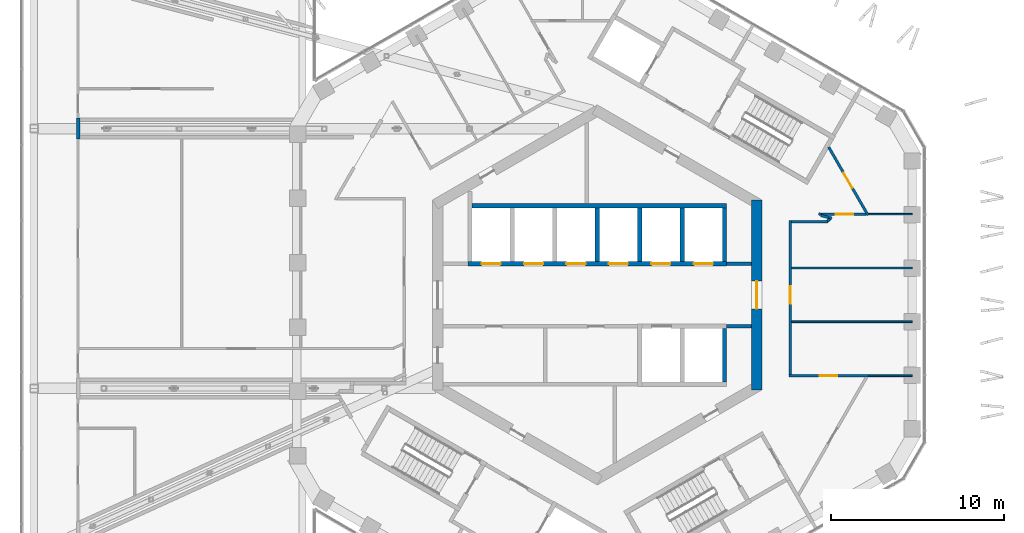
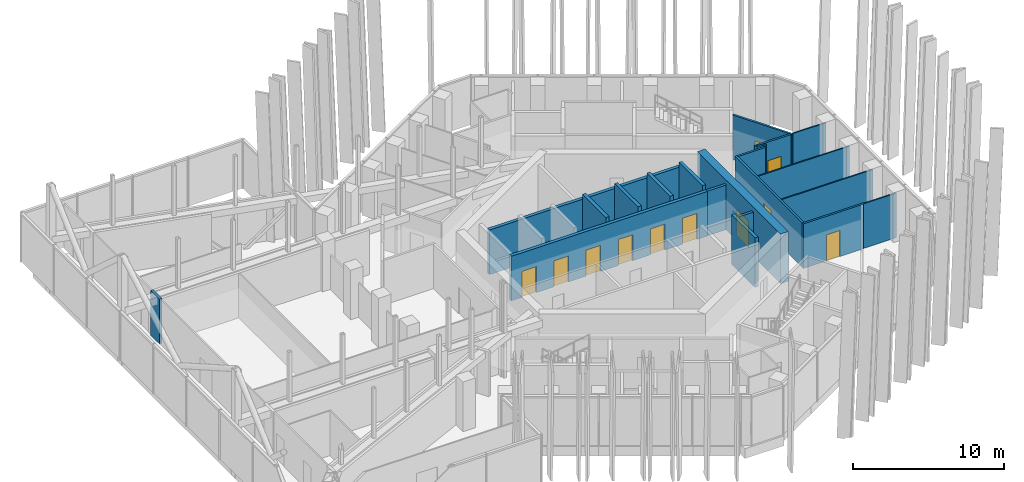
# One storey, part 20 of 28: 23 walls, 11 doors, 11 openings.
"""IFC4 building model written with IfcOpenShell, lengths in metres."""

from ifc_helpers import new_model, si_unit, direction, frame, frame_2d, origin, place, context, subcontext, project, spatial, rectangle, extrude, material, layer, layer_set, type_object, element, fill, save


model = new_model("IFC4")

# Units and contexts
model_context = context("Model", 3, precision=1e-05, world=origin(), true_north=direction((0.0, 1.0)))
body_context = subcontext(model_context, "Body", "Model", "MODEL_VIEW")
ifc_project = project(units=[si_unit("LENGTHUNIT", "METRE"), si_unit("AREAUNIT", "SQUARE_METRE"), si_unit("VOLUMEUNIT", "CUBIC_METRE"), si_unit("PLANEANGLEUNIT", "RADIAN"), si_unit("MASSUNIT", "GRAM", prefix="KILO")], contexts=[model_context])

# Site, building, storey
site_placement = place(None, origin())
site = spatial("IfcSite", under=ifc_project, at=site_placement, CompositionType="ELEMENT")
building_placement = place(site_placement, origin())
building = spatial("IfcBuilding", under=site, at=building_placement, Name="Ayvan Gate Tower", CompositionType="ELEMENT")
storey_placement = place(building_placement, frame((0.0, 0.0, 202.10009765625)))
storey = spatial("IfcBuildingStorey", under=building, at=storey_placement, Name="L54", CompositionType="ELEMENT", Elevation=202.10009765625)

# Wall, opening, door
ifc_material_1 = material(Name="Concrete C60/75", Category="concrete")
ifc_layer_1 = layer(ifc_material_1, 0.60009765625)
ifc_layer_set_1 = layer_set([ifc_layer_1], Name="Concrete C60/75")
wall_type_1 = type_object("IfcWallType", Name="Core wall 600 C60/75", PredefinedType="SHEAR", material=ifc_layer_set_1)
wall_1_placement = place(storey_placement, frame((9.199951171875, -5.48486328125, 0.0), z_axis=(0.0, 0.0, 1.0), x_axis=(0.0, 1.0, 0.0)))
wall_1 = element("IfcWall", 1, at=wall_1_placement, inside=storey, type_object=wall_type_1, Name="CORE-L54-0", PredefinedType="SHEAR", context=body_context, shape_type="SweptSolid", body=[
    extrude(rectangle(XDim=10.9697265625, YDim=0.60009765625, at=frame_2d((5.48486328125, 0.0))), origin(), (0.0, 0.0, 1.0), 4.0),
])
opening_1_placement = place(wall_1_placement, frame((4.684814453125, 0.0, 0.0)))
opening_1 = element("IfcOpeningElement", 2, at=opening_1_placement, cuts=wall_1, Name="Opening L54-D50", PredefinedType="OPENING", context=body_context, shape_type="SweptSolid", body=[
    extrude(rectangle(XDim=1.60009765625, YDim=2.10009765625, at=frame_2d((0.800048828125, 1.050048828125))), frame((0.0, 0.31005859375, 0.0), z_axis=(0.0, -1.0, 0.0), x_axis=(1.0, 0.0, 0.0)), (0.0, 0.0, 1.0), 0.6201171875),
])
ifc_material_2 = material(Name="Timber door leaf", Category="wood")
door_type_1 = type_object("IfcDoorType", Name="DT-1600", OperationType="NOTDEFINED", PredefinedType="DOOR", material=ifc_material_2)
door_1_placement = place(opening_1_placement, origin())
door_1 = element("IfcDoor", 3, at=door_1_placement, inside=storey, type_object=door_type_1, Name="CD-L54-50", OperationType="SINGLE_SWING_RIGHT", OverallHeight=2.10009765625, OverallWidth=1.60009765625, PredefinedType="DOOR", context=body_context, shape_type="SweptSolid", body=[
    extrude(rectangle(XDim=1.60009765625, YDim=2.10009765625, at=frame_2d((0.800048828125, 1.050048828125))), frame((0.0, 0.02490234375, 0.0), z_axis=(0.0, -1.0, 0.0), x_axis=(1.0, 0.0, 0.0)), (0.0, 0.0, 1.0), 0.050048828125),
])
fill(opening_1, door_1)

ifc_material_3 = material(Name="Plasterboard on steel stud", Category="steel")
ifc_layer_2 = layer(ifc_material_3, 0.14990234375)
ifc_layer_set_2 = layer_set([ifc_layer_2], Name="Plasterboard on steel stud")
wall_type_2 = type_object("IfcWallType", Name="WT-CORR-150", PredefinedType="PARTITIONING", material=ifc_layer_set_2)
wall_2_placement = place(storey_placement, frame((11.074951171875, -4.663330078125, 0.0), z_axis=(0.0, 0.0, 1.0), x_axis=(1.0, 0.0, 0.0)))
wall_2 = element("IfcWall", 4, at=wall_2_placement, inside=storey, type_object=wall_type_2, Name="IW-L54-117", PredefinedType="PARTITIONING", context=body_context, shape_type="SweptSolid", body=[
    extrude(rectangle(XDim=4.595947265625, YDim=0.14990234375, at=frame_2d((2.2978515625, 0.0))), origin(), (0.0, 0.0, 1.0), 3.599853515625),
])
opening_2_placement = place(wall_2_placement, frame((1.780517578125, 0.0, 0.0)))
opening_2 = element("IfcOpeningElement", 5, at=opening_2_placement, cuts=wall_2, Name="Opening L54-D21", PredefinedType="OPENING", context=body_context, shape_type="SweptSolid", body=[
    extrude(rectangle(XDim=1.0, YDim=2.10009765625, at=frame_2d((0.5, 1.050048828125))), frame((0.0, 0.0849609375, 0.0), z_axis=(0.0, -1.0, 0.0), x_axis=(1.0, 0.0, 0.0)), (0.0, 0.0, 1.0), 0.169921875),
])
door_type_2 = type_object("IfcDoorType", Name="DT-1000", OperationType="NOTDEFINED", PredefinedType="DOOR", material=ifc_material_2)
door_2_placement = place(opening_2_placement, origin())
door_2 = element("IfcDoor", 6, at=door_2_placement, inside=storey, type_object=door_type_2, Name="ID-L54-021", OperationType="SINGLE_SWING_LEFT", OverallHeight=2.10009765625, OverallWidth=1.0, PredefinedType="DOOR", context=body_context, shape_type="SweptSolid", body=[
    extrude(rectangle(XDim=1.0, YDim=2.10009765625, at=frame_2d((0.5, 1.050048828125))), frame((0.0, 0.02490234375, 0.0), z_axis=(0.0, -1.0, 0.0), x_axis=(1.0, 0.0, 0.0)), (0.0, 0.0, 1.0), 0.050048828125),
])
fill(opening_2, door_2)

wall_3_placement = place(storey_placement, frame((11.14990234375, -4.58837890625, 0.0), z_axis=(0.0, 0.0, 1.0), x_axis=(0.0, 1.0, 0.0)))
wall_3 = element("IfcWall", 7, at=wall_3_placement, inside=storey, type_object=wall_type_2, Name="IW-L54-119", PredefinedType="PARTITIONING", context=body_context, shape_type="SweptSolid", body=[
    extrude(rectangle(XDim=8.876708984375, YDim=0.14990234375, at=frame_2d((4.4384765625, 0.0))), origin(), (0.0, 0.0, 1.0), 3.599853515625),
])
opening_3_placement = place(wall_3_placement, frame((4.08837890625, 0.0, 0.0)))
opening_3 = element("IfcOpeningElement", 8, at=opening_3_placement, cuts=wall_3, Name="Opening L54-D22", PredefinedType="OPENING", context=body_context, shape_type="SweptSolid", body=[
    extrude(rectangle(XDim=1.0, YDim=2.10009765625, at=frame_2d((0.5, 1.050048828125))), frame((0.0, 0.0849609375, 0.0), z_axis=(0.0, -1.0, 0.0), x_axis=(1.0, 0.0, 0.0)), (0.0, 0.0, 1.0), 0.169921875),
])
door_3_placement = place(opening_3_placement, origin())
door_3 = element("IfcDoor", 9, at=door_3_placement, inside=storey, type_object=door_type_2, Name="ID-L54-022", OperationType="SINGLE_SWING_RIGHT", OverallHeight=2.10009765625, OverallWidth=1.0, PredefinedType="DOOR", context=body_context, shape_type="SweptSolid", body=[
    extrude(rectangle(XDim=1.0, YDim=2.10009765625, at=frame_2d((0.5, 1.050048828125))), frame((0.0, 0.02490234375, 0.0), z_axis=(0.0, -1.0, 0.0), x_axis=(1.0, 0.0, 0.0)), (0.0, 0.0, 1.0), 0.050048828125),
])
fill(opening_3, door_3)

# Walls
wall_4_placement = place(storey_placement, frame((12.781982421875, 4.681884765625, 0.0), z_axis=(0.0, 0.0, 1.0), x_axis=(0.96886718516, -0.247581052426, 0.0)))
element("IfcWall", 10, at=wall_4_placement, inside=storey, type_object=wall_type_2, Name="IW-L54-122", PredefinedType="PARTITIONING", context=body_context, shape_type="SweptSolid", body=[
    extrude(rectangle(XDim=0.14794921875, YDim=0.14990234375, at=frame_2d((0.073974609375, 0.0))), origin(), (0.0, 0.0, 1.0), 3.599853515625),
])
wall_5_placement = place(storey_placement, frame((12.91796875, 4.585693359375, 0.0), z_axis=(0.0, 0.0, 1.0), x_axis=(0.97018682722, -0.242358247825, 0.0)))
element("IfcWall", 11, at=wall_5_placement, inside=storey, type_object=wall_type_2, Name="IW-L54-123", PredefinedType="PARTITIONING", context=body_context, shape_type="SweptSolid", body=[
    extrude(rectangle(XDim=0.647705078125, YDim=0.14990234375, at=frame_2d((0.32373046875, 0.0))), origin(), (0.0, 0.0, 1.0), 3.599853515625),
])
wall_6_placement = place(storey_placement, frame((13.31982421875, 4.21337890625, 0.0), z_axis=(0.0, 0.0, 1.0), x_axis=(-1.0, 0.0, 0.0)))
element("IfcWall", 12, at=wall_6_placement, inside=storey, type_object=wall_type_2, Name="IW-L54-125", PredefinedType="PARTITIONING", context=body_context, shape_type="SweptSolid", body=[
    extrude(rectangle(XDim=2.0947265625, YDim=0.14990234375, at=frame_2d((1.04736328125, 0.0))), origin(), (0.0, 0.0, 1.0), 3.599853515625),
])

# Wall, opening, door
wall_7_placement = place(storey_placement, frame((13.363525390625, 8.52978515625, 0.0), z_axis=(0.0, 0.0, 1.0), x_axis=(0.499997120667, -0.866027066162, 0.0)))
wall_7 = element("IfcWall", 13, at=wall_7_placement, inside=storey, type_object=wall_type_2, Name="IW-L54-126", PredefinedType="PARTITIONING", context=body_context, shape_type="SweptSolid", body=[
    extrude(rectangle(XDim=4.53955078125, YDim=0.14990234375, at=frame_2d((2.269775390625, 0.0))), origin(), (0.0, 0.0, 1.0), 3.599853515625),
])
opening_4_placement = place(wall_7_placement, frame((1.715087890625, 0.0, 0.0)))
opening_4 = element("IfcOpeningElement", 14, at=opening_4_placement, cuts=wall_7, Name="Opening L54-D24", PredefinedType="OPENING", context=body_context, shape_type="SweptSolid", body=[
    extrude(rectangle(XDim=1.0, YDim=2.10009765625, at=frame_2d((0.5, 1.050048828125))), frame((0.0, 0.0849609375, 0.0), z_axis=(0.0, -1.0, 0.0), x_axis=(1.0, 0.0, 0.0)), (0.0, 0.0, 1.0), 0.169921875),
])
door_4_placement = place(opening_4_placement, origin())
door_4 = element("IfcDoor", 15, at=door_4_placement, inside=storey, type_object=door_type_2, Name="ID-L54-024", OperationType="SINGLE_SWING_RIGHT", OverallHeight=2.10009765625, OverallWidth=1.0, PredefinedType="DOOR", context=body_context, shape_type="SweptSolid", body=[
    extrude(rectangle(XDim=1.0, YDim=2.10009765625, at=frame_2d((0.5, 1.050048828125))), frame((0.0, 0.02490234375, 0.0), z_axis=(0.0, -1.0, 0.0), x_axis=(1.0, 0.0, 0.0)), (0.0, 0.0, 1.0), 0.050048828125),
])
fill(opening_4, door_4)

# Wall
wall_8_placement = place(storey_placement, frame((13.4208984375, 4.393310546875, 0.0), z_axis=(0.0, 0.0, 1.0), x_axis=(-0.700168055708, -0.713978076531, 0.0)))
element("IfcWall", 16, at=wall_8_placement, inside=storey, type_object=wall_type_2, Name="IW-L54-128", PredefinedType="PARTITIONING", context=body_context, shape_type="SweptSolid", body=[
    extrude(rectangle(XDim=0.1767578125, YDim=0.14990234375, at=frame_2d((0.08837890625, 0.0))), origin(), (0.0, 0.0, 1.0), 3.599853515625),
])

# Wall, opening, door
wall_9_placement = place(storey_placement, frame((15.520751953125, 4.663330078125, 0.0), z_axis=(0.0, 0.0, 1.0), x_axis=(-1.0, 0.0, 0.0)))
wall_9 = element("IfcWall", 17, at=wall_9_placement, inside=storey, type_object=wall_type_2, Name="IW-L54-131", PredefinedType="PARTITIONING", context=body_context, shape_type="SweptSolid", body=[
    extrude(rectangle(XDim=2.591064453125, YDim=0.14990234375, at=frame_2d((1.29541015625, 0.0))), origin(), (0.0, 0.0, 1.0), 3.599853515625),
])
opening_5_placement = place(wall_9_placement, frame((0.74560546875, 0.0, 0.0)))
opening_5 = element("IfcOpeningElement", 18, at=opening_5_placement, cuts=wall_9, Name="Opening L54-D23", PredefinedType="OPENING", context=body_context, shape_type="SweptSolid", body=[
    extrude(rectangle(XDim=1.0, YDim=2.10009765625, at=frame_2d((0.5, 1.050048828125))), frame((0.0, 0.0849609375, 0.0), z_axis=(0.0, -1.0, 0.0), x_axis=(1.0, 0.0, 0.0)), (0.0, 0.0, 1.0), 0.169921875),
])
door_5_placement = place(opening_5_placement, origin())
door_5 = element("IfcDoor", 19, at=door_5_placement, inside=storey, type_object=door_type_2, Name="ID-L54-023", OperationType="SINGLE_SWING_LEFT", OverallHeight=2.10009765625, OverallWidth=1.0, PredefinedType="DOOR", context=body_context, shape_type="SweptSolid", body=[
    extrude(rectangle(XDim=1.0, YDim=2.10009765625, at=frame_2d((0.5, 1.050048828125))), frame((0.0, 0.02490234375, 0.0), z_axis=(0.0, -1.0, 0.0), x_axis=(1.0, 0.0, 0.0)), (0.0, 0.0, 1.0), 0.050048828125),
])
fill(opening_5, door_5)

# Walls
ifc_layer_3 = layer(ifc_material_3, 0.10009765625)
ifc_layer_set_3 = layer_set([ifc_layer_3], Name="Plasterboard on steel stud")
wall_type_3 = type_object("IfcWallType", Name="WT-PART-100", PredefinedType="PARTITIONING", material=ifc_layer_set_3)
for number, where, z_axis, x_axis, name in (
    (20, (11.22509765625, -1.554443359375, 0.0), (0.0, 0.0, 1.0), (1.0, 0.0, 0.0), "IW-L54-118"),
    (21, (11.22509765625, 1.554443359375, 0.0), (0.0, 0.0, 1.0), (1.0, 0.0, 0.0), "IW-L54-120"),
):
    element("IfcWall", number, at=place(storey_placement, frame(where, z_axis=z_axis, x_axis=x_axis)), inside=storey, type_object=wall_type_3, Name=name, PredefinedType="PARTITIONING", context=body_context, shape_type="SweptSolid", body=[
        extrude(rectangle(XDim=6.96142578125, YDim=0.10009765625, at=frame_2d((3.480712890625, 0.0))), origin(), (0.0, 0.0, 1.0), 3.599853515625),
    ])
wall_10_placement = place(storey_placement, frame((15.6708984375, 4.663330078125, 0.0), z_axis=(0.0, 0.0, 1.0), x_axis=(1.0, 0.0, 0.0)))
element("IfcWall", 22, at=wall_10_placement, inside=storey, type_object=wall_type_3, Name="IW-L54-132", PredefinedType="PARTITIONING", context=body_context, shape_type="SweptSolid", body=[
    extrude(rectangle(XDim=2.515625, YDim=0.10009765625, at=frame_2d((1.2578125, 0.0))), origin(), (0.0, 0.0, 1.0), 3.599853515625),
])
wall_11_placement = place(storey_placement, frame((18.1865234375, -4.663330078125, 0.0), z_axis=(0.0, 0.0, 1.0), x_axis=(-1.0, 0.0, 0.0)))
element("IfcWall", 23, at=wall_11_placement, inside=storey, type_object=wall_type_3, Name="IW-L54-133", PredefinedType="PARTITIONING", context=body_context, shape_type="SweptSolid", body=[
    extrude(rectangle(XDim=2.515869140625, YDim=0.10009765625, at=frame_2d((1.2578125, 0.0))), origin(), (0.0, 0.0, 1.0), 3.599853515625),
])
ifc_layer_4 = layer(ifc_material_3, 0.199951171875)
ifc_layer_set_4 = layer_set([ifc_layer_4], Name="Plasterboard on steel stud")
wall_type_4 = type_object("IfcWallType", Name="WT-PLUMB-200", PredefinedType="PLUMBINGWALL", material=ifc_layer_set_4)
wall_12_placement = place(storey_placement, frame((-29.974365234375, 9.0, 0.0), z_axis=(0.0, 0.0, 1.0), x_axis=(0.0, 1.0, 0.0)))
element("IfcWall", 24, at=wall_12_placement, inside=storey, type_object=wall_type_4, Name="IW-L54-009", PredefinedType="PLUMBINGWALL", context=body_context, shape_type="SweptSolid", body=[
    extrude(rectangle(XDim=1.199951171875, YDim=0.199951171875, at=frame_2d((0.60009765625, 0.0))), origin(), (0.0, 0.0, 1.0), 3.599853515625),
])
ifc_layer_5 = layer(ifc_material_3, 0.199951171875)
ifc_layer_set_5 = layer_set([ifc_layer_5], Name="Plasterboard on steel stud")
wall_type_5 = type_object("IfcWallType", Name="WT-RATED-200", PredefinedType="PARTITIONING", material=ifc_layer_set_5)
for number, where, z_axis, x_axis, name in (
    (25, (7.474853515625, 1.800048828125, 0.0), (0.0, 0.0, 1.0), (1.0, 0.0, 0.0), "IW-L54-107"),
    (26, (8.89990234375, -1.800048828125, 0.0), (0.0, 0.0, 1.0), (-1.0, 0.0, 0.0), "IW-L54-113"),
):
    element("IfcWall", number, at=place(storey_placement, frame(where, z_axis=z_axis, x_axis=x_axis)), inside=storey, type_object=wall_type_5, Name=name, PredefinedType="PARTITIONING", context=body_context, shape_type="SweptSolid", body=[
        extrude(rectangle(XDim=1.425048828125, YDim=0.199951171875, at=frame_2d((0.71240234375, 0.0))), origin(), (0.0, 0.0, 1.0), 3.599853515625),
    ])

# Wall, openings, doors
ifc_material_4 = material(Name="Concrete C50/60", Category="concrete")
ifc_layer_6 = layer(ifc_material_4, 0.25)
ifc_layer_set_6 = layer_set([ifc_layer_6], Name="Concrete C50/60")
wall_type_6 = type_object("IfcWallType", Name="WT-RC-250", PredefinedType="SHEAR", material=ifc_layer_set_6)
wall_13_placement = place(storey_placement, frame((-7.47509765625, 1.800048828125, 0.0), z_axis=(0.0, 0.0, 1.0), x_axis=(1.0, 0.0, 0.0)))
wall_13 = element("IfcWall", 27, at=wall_13_placement, inside=storey, type_object=wall_type_6, Name="IW-L54-049", PredefinedType="SHEAR", context=body_context, shape_type="SweptSolid", body=[
    extrude(rectangle(XDim=14.9501953125, YDim=0.25, at=frame_2d((7.47509765625, 0.0))), origin(), (0.0, 0.0, 1.0), 3.599853515625),
])
opening_6_placement = place(wall_13_placement, frame((0.800048828125, 0.0, 0.0)))
opening_6 = element("IfcOpeningElement", 28, at=opening_6_placement, cuts=wall_13, Name="Opening L54-LD-HR1", PredefinedType="OPENING", context=body_context, shape_type="SweptSolid", body=[
    extrude(rectangle(XDim=1.10009765625, YDim=2.10009765625, at=frame_2d((0.550048828125, 1.050048828125))), frame((0.0, 0.135009765625, 0.0), z_axis=(0.0, -1.0, 0.0), x_axis=(1.0, 0.0, 0.0)), (0.0, 0.0, 1.0), 0.27001953125),
])
opening_7_placement = place(wall_13_placement, frame((3.25, 0.0, 0.0)))
opening_7 = element("IfcOpeningElement", 29, at=opening_7_placement, cuts=wall_13, Name="Opening L54-LD-HR2", PredefinedType="OPENING", context=body_context, shape_type="SweptSolid", body=[
    extrude(rectangle(XDim=1.10009765625, YDim=2.10009765625, at=frame_2d((0.550048828125, 1.050048828125))), frame((0.0, 0.135009765625, 0.0), z_axis=(0.0, -1.0, 0.0), x_axis=(1.0, 0.0, 0.0)), (0.0, 0.0, 1.0), 0.27001953125),
])
opening_8_placement = place(wall_13_placement, frame((5.7001953125, 0.0, 0.0)))
opening_8 = element("IfcOpeningElement", 30, at=opening_8_placement, cuts=wall_13, Name="Opening L54-LD-HR3", PredefinedType="OPENING", context=body_context, shape_type="SweptSolid", body=[
    extrude(rectangle(XDim=1.10009765625, YDim=2.10009765625, at=frame_2d((0.550048828125, 1.050048828125))), frame((0.0, 0.135009765625, 0.0), z_axis=(0.0, -1.0, 0.0), x_axis=(1.0, 0.0, 0.0)), (0.0, 0.0, 1.0), 0.27001953125),
])
opening_9_placement = place(wall_13_placement, frame((8.150146484375, 0.0, 0.0)))
opening_9 = element("IfcOpeningElement", 31, at=opening_9_placement, cuts=wall_13, Name="Opening L54-LD-HR4", PredefinedType="OPENING", context=body_context, shape_type="SweptSolid", body=[
    extrude(rectangle(XDim=1.10009765625, YDim=2.10009765625, at=frame_2d((0.550048828125, 1.050048828125))), frame((0.0, 0.135009765625, 0.0), z_axis=(0.0, -1.0, 0.0), x_axis=(1.0, 0.0, 0.0)), (0.0, 0.0, 1.0), 0.27001953125),
])
opening_10_placement = place(wall_13_placement, frame((10.60009765625, 0.0, 0.0)))
opening_10 = element("IfcOpeningElement", 32, at=opening_10_placement, cuts=wall_13, Name="Opening L54-LD-HR5", PredefinedType="OPENING", context=body_context, shape_type="SweptSolid", body=[
    extrude(rectangle(XDim=1.10009765625, YDim=2.10009765625, at=frame_2d((0.550048828125, 1.050048828125))), frame((0.0, 0.135009765625, 0.0), z_axis=(0.0, -1.0, 0.0), x_axis=(1.0, 0.0, 0.0)), (0.0, 0.0, 1.0), 0.27001953125),
])
opening_11_placement = place(wall_13_placement, frame((13.050048828125, 0.0, 0.0)))
opening_11 = element("IfcOpeningElement", 33, at=opening_11_placement, cuts=wall_13, Name="Opening L54-LD-HR6", PredefinedType="OPENING", context=body_context, shape_type="SweptSolid", body=[
    extrude(rectangle(XDim=1.10009765625, YDim=2.10009765625, at=frame_2d((0.550048828125, 1.050048828125))), frame((0.0, 0.135009765625, 0.0), z_axis=(0.0, -1.0, 0.0), x_axis=(1.0, 0.0, 0.0)), (0.0, 0.0, 1.0), 0.27001953125),
])
ifc_material_5 = material(Name="Stainless steel landing door", Category="steel")
door_type_3 = type_object("IfcDoorType", Name="DT-LANDING-1100", OperationType="SLIDING_TO_LEFT", PredefinedType="DOOR", material=ifc_material_5)
door_6_placement = place(opening_6_placement, origin())
door_6 = element("IfcDoor", 34, at=door_6_placement, inside=storey, type_object=door_type_3, Name="ID-L54-001", OperationType="SLIDING_TO_LEFT", OverallHeight=2.10009765625, OverallWidth=1.10009765625, PredefinedType="DOOR", context=body_context, shape_type="SweptSolid", body=[
    extrude(rectangle(XDim=1.10009765625, YDim=2.10009765625, at=frame_2d((0.550048828125, 1.050048828125))), frame((0.0, 0.02490234375, 0.0), z_axis=(0.0, -1.0, 0.0), x_axis=(1.0, 0.0, 0.0)), (0.0, 0.0, 1.0), 0.050048828125),
])
fill(opening_6, door_6)
door_7_placement = place(opening_7_placement, origin())
door_7 = element("IfcDoor", 35, at=door_7_placement, inside=storey, type_object=door_type_3, Name="ID-L54-002", OperationType="SLIDING_TO_LEFT", OverallHeight=2.10009765625, OverallWidth=1.10009765625, PredefinedType="DOOR", context=body_context, shape_type="SweptSolid", body=[
    extrude(rectangle(XDim=1.10009765625, YDim=2.10009765625, at=frame_2d((0.550048828125, 1.050048828125))), frame((0.0, 0.02490234375, 0.0), z_axis=(0.0, -1.0, 0.0), x_axis=(1.0, 0.0, 0.0)), (0.0, 0.0, 1.0), 0.050048828125),
])
fill(opening_7, door_7)
door_8_placement = place(opening_8_placement, origin())
door_8 = element("IfcDoor", 36, at=door_8_placement, inside=storey, type_object=door_type_3, Name="ID-L54-003", OperationType="SLIDING_TO_LEFT", OverallHeight=2.10009765625, OverallWidth=1.10009765625, PredefinedType="DOOR", context=body_context, shape_type="SweptSolid", body=[
    extrude(rectangle(XDim=1.10009765625, YDim=2.10009765625, at=frame_2d((0.550048828125, 1.050048828125))), frame((0.0, 0.02490234375, 0.0), z_axis=(0.0, -1.0, 0.0), x_axis=(1.0, 0.0, 0.0)), (0.0, 0.0, 1.0), 0.050048828125),
])
fill(opening_8, door_8)
door_9_placement = place(opening_9_placement, origin())
door_9 = element("IfcDoor", 37, at=door_9_placement, inside=storey, type_object=door_type_3, Name="ID-L54-004", OperationType="SLIDING_TO_LEFT", OverallHeight=2.10009765625, OverallWidth=1.10009765625, PredefinedType="DOOR", context=body_context, shape_type="SweptSolid", body=[
    extrude(rectangle(XDim=1.10009765625, YDim=2.10009765625, at=frame_2d((0.550048828125, 1.050048828125))), frame((0.0, 0.02490234375, 0.0), z_axis=(0.0, -1.0, 0.0), x_axis=(1.0, 0.0, 0.0)), (0.0, 0.0, 1.0), 0.050048828125),
])
fill(opening_9, door_9)
door_10_placement = place(opening_10_placement, origin())
door_10 = element("IfcDoor", 38, at=door_10_placement, inside=storey, type_object=door_type_3, Name="ID-L54-005", OperationType="SLIDING_TO_LEFT", OverallHeight=2.10009765625, OverallWidth=1.10009765625, PredefinedType="DOOR", context=body_context, shape_type="SweptSolid", body=[
    extrude(rectangle(XDim=1.10009765625, YDim=2.10009765625, at=frame_2d((0.550048828125, 1.050048828125))), frame((0.0, 0.02490234375, 0.0), z_axis=(0.0, -1.0, 0.0), x_axis=(1.0, 0.0, 0.0)), (0.0, 0.0, 1.0), 0.050048828125),
])
fill(opening_10, door_10)
door_11_placement = place(opening_11_placement, origin())
door_11 = element("IfcDoor", 39, at=door_11_placement, inside=storey, type_object=door_type_3, Name="ID-L54-006", OperationType="SLIDING_TO_LEFT", OverallHeight=2.10009765625, OverallWidth=1.10009765625, PredefinedType="DOOR", context=body_context, shape_type="SweptSolid", body=[
    extrude(rectangle(XDim=1.10009765625, YDim=2.10009765625, at=frame_2d((0.550048828125, 1.050048828125))), frame((0.0, 0.02490234375, 0.0), z_axis=(0.0, -1.0, 0.0), x_axis=(1.0, 0.0, 0.0)), (0.0, 0.0, 1.0), 0.050048828125),
])
fill(opening_11, door_11)

# Walls
wall_14_placement = place(storey_placement, frame((-7.22509765625, 5.14990234375, 0.0), z_axis=(0.0, 0.0, 1.0), x_axis=(1.0, 0.0, 0.0)))
element("IfcWall", 40, at=wall_14_placement, inside=storey, type_object=wall_type_6, Name="IW-L54-051", PredefinedType="SHEAR", context=body_context, shape_type="SweptSolid", body=[
    extrude(rectangle(XDim=14.7001953125, YDim=0.25, at=frame_2d((7.35009765625, 0.0))), origin(), (0.0, 0.0, 1.0), 3.599853515625),
])
for number, where, z_axis, x_axis, name in (
    (41, (0.0, 5.02490234375, 0.0), (0.0, 0.0, 1.0), (0.0, -1.0, 0.0), "IW-L54-079"),
    (42, (2.449951171875, 5.02490234375, 0.0), (0.0, 0.0, 1.0), (0.0, -1.0, 0.0), "IW-L54-090"),
    (43, (4.89990234375, 5.02490234375, 0.0), (0.0, 0.0, 1.0), (0.0, -1.0, 0.0), "IW-L54-099"),
    (44, (7.35009765625, -1.925048828125, 0.0), (0.0, 0.0, 1.0), (0.0, -1.0, 0.0), "IW-L54-108"),
    (45, (7.35009765625, 5.02490234375, 0.0), (0.0, 0.0, 1.0), (0.0, -1.0, 0.0), "IW-L54-109"),
):
    element("IfcWall", number, at=place(storey_placement, frame(where, z_axis=z_axis, x_axis=x_axis)), inside=storey, type_object=wall_type_6, Name=name, PredefinedType="SHEAR", context=body_context, shape_type="SweptSolid", body=[
        extrude(rectangle(XDim=3.099853515625, YDim=0.25, at=frame_2d((1.5498046875, 0.0))), origin(), (0.0, 0.0, 1.0), 4.0),
    ])

save(model, "model.ifc")
